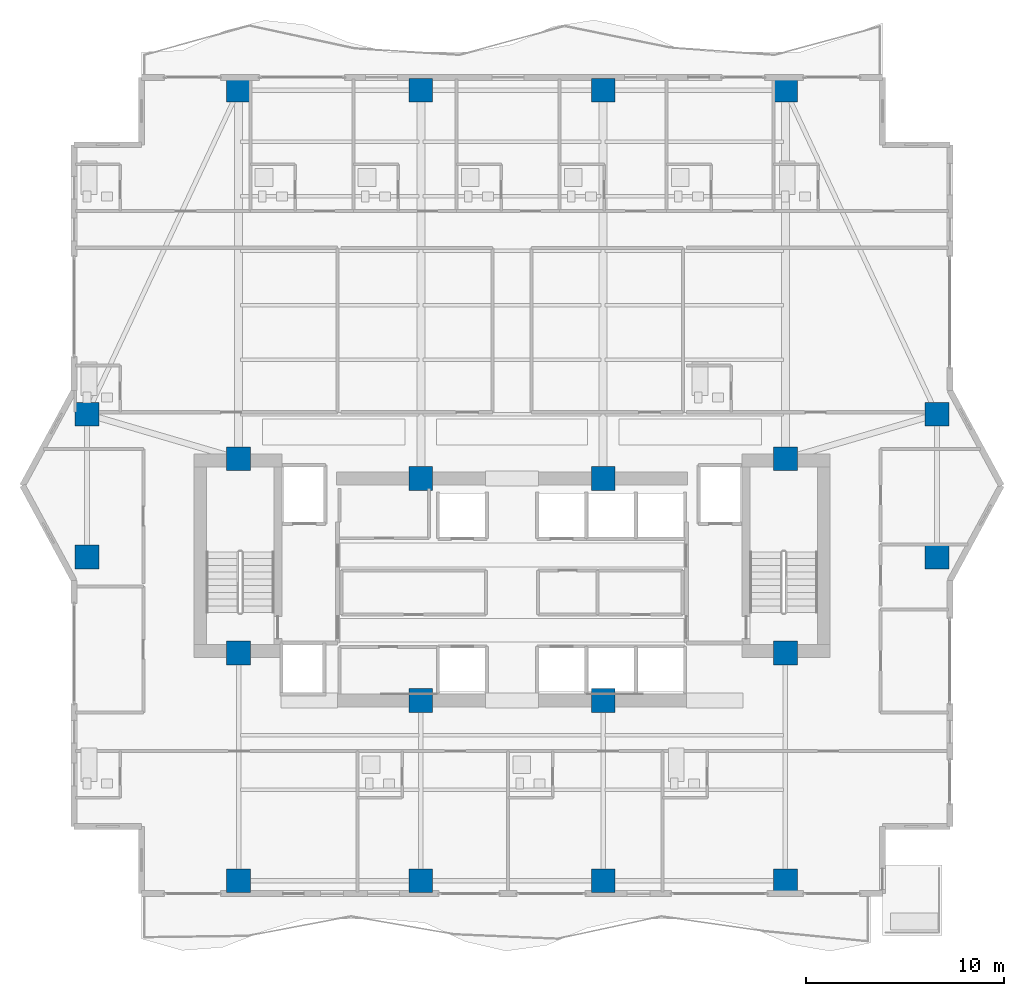
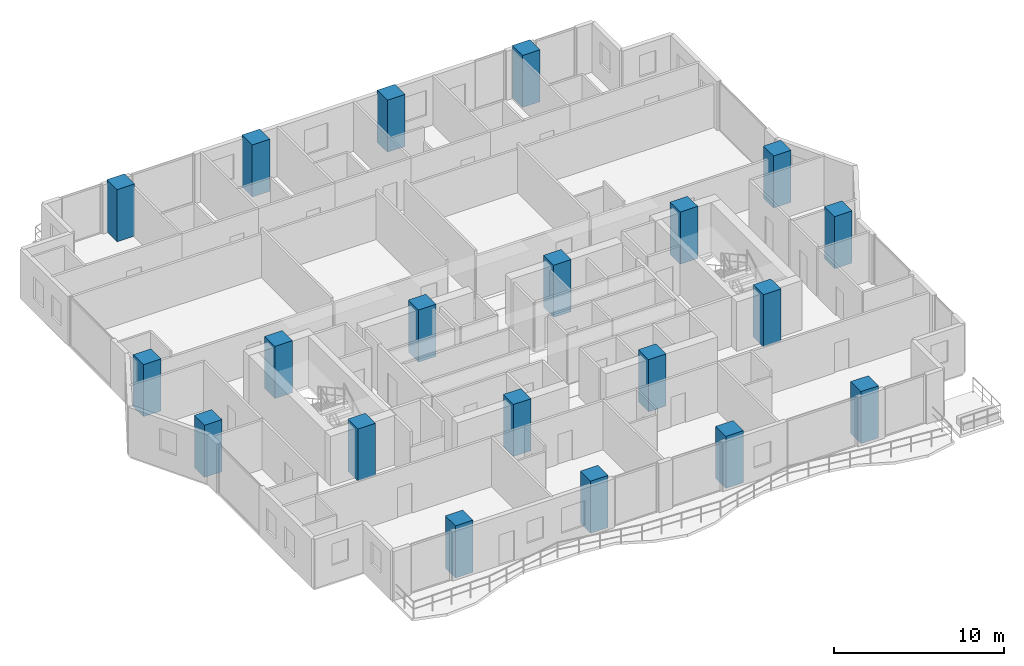
# One storey, part 1 of 33: 20 columns.
"""IFC4 building model written with IfcOpenShell, lengths in metres."""

from ifc_helpers import new_model, si_unit, direction, frame, origin, origin_2d, place, context, subcontext, project, spatial, rectangle, extrude, material, material_profile, profile_set, type_object, element, save


model = new_model("IFC4")

# Units and contexts
model_context = context("Model", 3, precision=1e-05, world=origin(), true_north=direction((0.0, 1.0)))
body_context = subcontext(model_context, "Body", "Model", "MODEL_VIEW")
ifc_project = project(units=[si_unit("LENGTHUNIT", "METRE"), si_unit("AREAUNIT", "SQUARE_METRE"), si_unit("VOLUMEUNIT", "CUBIC_METRE"), si_unit("PLANEANGLEUNIT", "RADIAN"), si_unit("MASSUNIT", "GRAM", prefix="KILO")], contexts=[model_context])

# Site, building, storey
site_placement = place(None, origin())
site = spatial("IfcSite", under=ifc_project, at=site_placement, CompositionType="ELEMENT")
building_placement = place(site_placement, origin())
building = spatial("IfcBuilding", under=site, at=building_placement, Name="Zuhayl Quay Hotel", CompositionType="ELEMENT")
storey_placement = place(building_placement, frame((0.0, 0.0, 199.89990234375)))
storey = spatial("IfcBuildingStorey", under=building, at=storey_placement, Name="L50", CompositionType="ELEMENT", Elevation=199.89990234375)

# Columns
ifc_material = material(Name="Concrete C60/75", Category="concrete")
ifc_material_profile_1 = material_profile(ifc_material, rectangle(XDim=1.199951171875, YDim=1.199951171875, at=origin_2d()), Name="RC1200X1200")
ifc_profile_set_1 = profile_set([ifc_material_profile_1], Name="Concrete C60/75")
column_type_1 = type_object("IfcColumnType", Name="CL_CC2_1200", PredefinedType="COLUMN", material=ifc_profile_set_1)
for number, where, z_axis, x_axis, name in (
    (1, (-13.800048828125, 14.35009765625, 0.0), (0.0, 0.0, 1.0), (1.0, 0.0, 0.0), "L50 Core Column CC_NW"),
    (2, (-4.60009765625, 13.35009765625, 0.0), (0.0, 0.0, 1.0), (1.0, 0.0, 0.0), "L50 Core Column CC_CNW"),
    (3, (4.60009765625, 13.35009765625, 0.0), (0.0, 0.0, 1.0), (1.0, 0.0, 0.0), "L50 Core Column CC_CNE"),
    (4, (13.800048828125, 14.35009765625, 0.0), (0.0, 0.0, 1.0), (1.0, 0.0, 0.0), "L50 Core Column CC_NE"),
    (5, (-13.800048828125, 4.550048828125, 0.0), (0.0, 0.0, 1.0), (1.0, 0.0, 0.0), "L50 Core Column CC_SW"),
    (6, (-4.60009765625, 2.14990234375, 0.0), (0.0, 0.0, 1.0), (1.0, 0.0, 0.0), "L50 Core Column CC_CSW"),
    (7, (4.60009765625, 2.14990234375, 0.0), (0.0, 0.0, 1.0), (1.0, 0.0, 0.0), "L50 Core Column CC_CSE"),
    (8, (13.800048828125, 4.550048828125, 0.0), (0.0, 0.0, 1.0), (1.0, 0.0, 0.0), "L50 Core Column CC_SE"),
):
    element("IfcColumn", number, at=place(storey_placement, frame(where, z_axis=z_axis, x_axis=x_axis)), inside=storey, type_object=column_type_1, Name=name, PredefinedType="COLUMN", context=body_context, shape_type="SweptSolid", body=[
        extrude(rectangle(XDim=1.199951171875, YDim=1.199951171875, at=origin_2d()), origin(), (0.0, 0.0, 1.0), 3.75),
    ])
ifc_material_profile_2 = material_profile(ifc_material, rectangle(XDim=1.199951171875, YDim=1.199951171875, at=origin_2d()), Name="RC1200X1200")
ifc_profile_set_2 = profile_set([ifc_material_profile_2], Name="Concrete C60/75")
column_type_2 = type_object("IfcColumnType", Name="CL_MC3_1200", PredefinedType="COLUMN", material=ifc_profile_set_2)
for number, where, z_axis, x_axis, name in (
    (9, (-13.800048828125, -6.949951171875, 0.0), (0.0, 0.0, 1.0), (1.0, 0.0, 0.0), "L50 Mega-Column MC_S1"),
    (10, (-4.60009765625, -6.949951171875, 0.0), (0.0, 0.0, 1.0), (1.0, 0.0, 0.0), "L50 Mega-Column MC_S2"),
    (11, (4.60009765625, -6.949951171875, 0.0), (0.0, 0.0, 1.0), (1.0, 0.0, 0.0), "L50 Mega-Column MC_S3"),
    (12, (13.800048828125, -6.949951171875, 0.0), (0.0, 0.0, 1.0), (1.0, 0.0, 0.0), "L50 Mega-Column MC_S4"),
    (13, (-13.800048828125, 32.949951171875, 0.0), (0.0, 0.0, 1.0), (1.0, 0.0, 0.0), "L50 Mega-Column MC_N1"),
    (14, (-4.60009765625, 32.949951171875, 0.0), (0.0, 0.0, 1.0), (1.0, 0.0, 0.0), "L50 Mega-Column MC_N2"),
    (15, (4.60009765625, 32.949951171875, 0.0), (0.0, 0.0, 1.0), (1.0, 0.0, 0.0), "L50 Mega-Column MC_N3"),
    (16, (13.800048828125, 32.949951171875, 0.0), (0.0, 0.0, 1.0), (1.0, 0.0, 0.0), "L50 Mega-Column MC_N4"),
    (17, (-21.449951171875, 9.39990234375, 0.0), (0.0, 0.0, 1.0), (1.0, 0.0, 0.0), "L50 Mega-Column MC_W1"),
    (18, (-21.449951171875, 16.60009765625, 0.0), (0.0, 0.0, 1.0), (1.0, 0.0, 0.0), "L50 Mega-Column MC_W2"),
    (19, (21.449951171875, 9.39990234375, 0.0), (0.0, 0.0, 1.0), (1.0, 0.0, 0.0), "L50 Mega-Column MC_E1"),
    (20, (21.449951171875, 16.60009765625, 0.0), (0.0, 0.0, 1.0), (1.0, 0.0, 0.0), "L50 Mega-Column MC_E2"),
):
    element("IfcColumn", number, at=place(storey_placement, frame(where, z_axis=z_axis, x_axis=x_axis)), inside=storey, type_object=column_type_2, Name=name, PredefinedType="COLUMN", context=body_context, shape_type="SweptSolid", body=[
        extrude(rectangle(XDim=1.199951171875, YDim=1.199951171875, at=origin_2d()), origin(), (0.0, 0.0, 1.0), 3.75),
    ])

save(model, "model.ifc")
